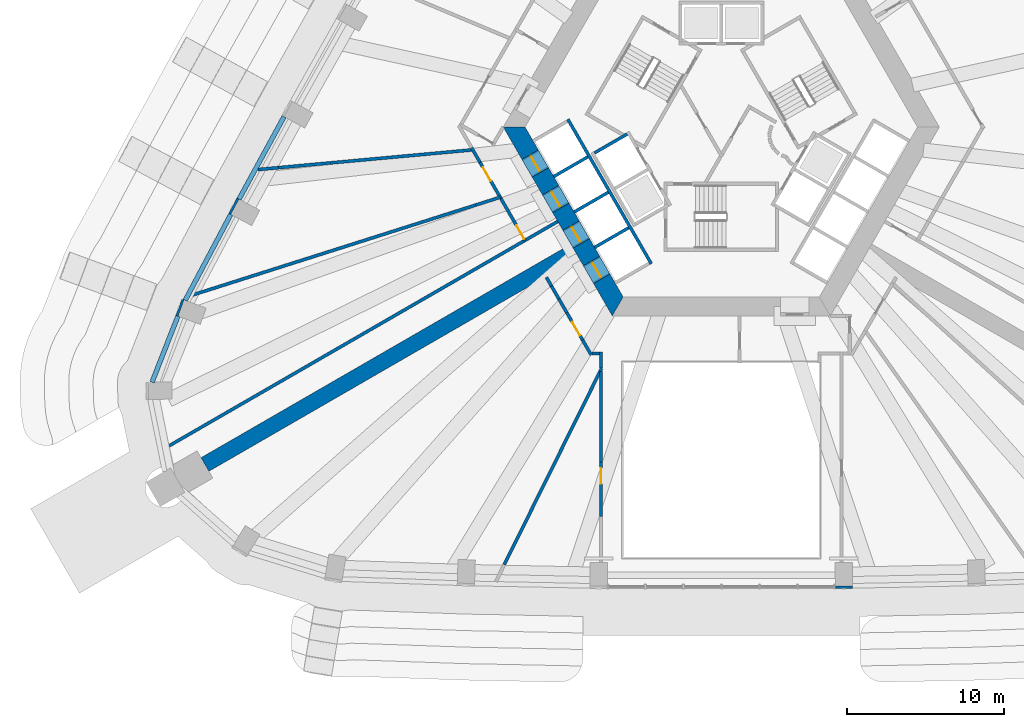
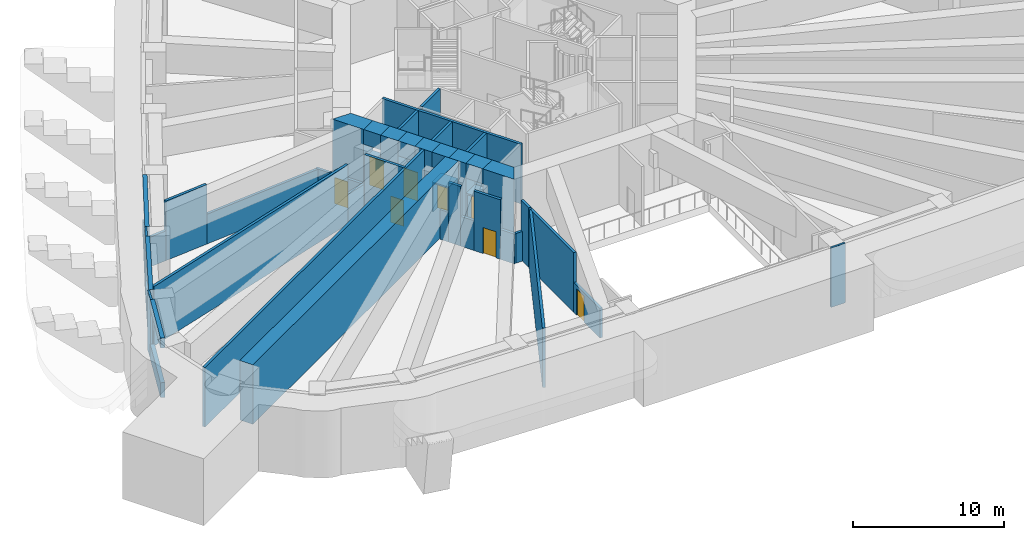
# One storey, part 5 of 20: 47 walls, 8 doors, 8 openings.
"""IFC4 building model written with IfcOpenShell, lengths in metres."""

from ifc_helpers import new_model, si_unit, direction, frame, frame_2d, origin, place, context, subcontext, project, spatial, polyline, rectangle, outline, extrude, material, layer, layer_set, type_object, element, fill, save


model = new_model("IFC4")

# Units and contexts
model_context = context("Model", 3, precision=1e-05, world=origin(), true_north=direction((0.0, 1.0)))
body_context = subcontext(model_context, "Body", "Model", "MODEL_VIEW")
ifc_project = project(units=[si_unit("LENGTHUNIT", "METRE"), si_unit("AREAUNIT", "SQUARE_METRE"), si_unit("VOLUMEUNIT", "CUBIC_METRE"), si_unit("PLANEANGLEUNIT", "RADIAN"), si_unit("MASSUNIT", "GRAM", prefix="KILO")], contexts=[model_context])

# Site, building, storey
site_placement = place(None, origin())
site = spatial("IfcSite", under=ifc_project, at=site_placement, CompositionType="ELEMENT")
building_placement = place(site_placement, origin())
building = spatial("IfcBuilding", under=site, at=building_placement, Name="Entoto Arch Interchange Tower", CompositionType="ELEMENT")
storey_placement = place(building_placement, frame((0.0, 0.0, 184.39990234375)))
storey = spatial("IfcBuildingStorey", under=building, at=storey_placement, Name="L41", CompositionType="ELEMENT", Elevation=184.39990234375)

# Walls
ifc_material_1 = material(Name="Concrete C50/60", Category="concrete")
ifc_layer_1 = layer(ifc_material_1, 1.199951171875)
ifc_layer_set_1 = layer_set([ifc_layer_1], Name="Concrete C50/60")
wall_type_1 = type_object("IfcWallType", Name="Core wall 1200 C50/60", PredefinedType="SHEAR", material=ifc_layer_set_1)
wall_1_placement = place(storey_placement, frame((0.0, 0.0, -0.599853515625)))
element("IfcWall", 1, at=wall_1_placement, inside=storey, type_object=wall_type_1, Name="Core wall SW L41", PredefinedType="SHEAR", context=body_context, shape_type="SweptSolid", body=[
    extrude(outline(polyline([(-12.6669921875, 0.43994140625), (-11.6279296875, 1.0400390625), (-12.470947265625, 2.5), (-13.85595703125, 2.5), (-12.6669921875, 0.43994140625)])), origin(), (0.0, 0.0, 1.0), 5.39990234375),
])
wall_2_placement = place(storey_placement, frame((0.0, 0.0, -0.599853515625)))
element("IfcWall", 2, at=wall_2_placement, inside=storey, type_object=wall_type_1, Name="Core wall SW L41", PredefinedType="SHEAR", context=body_context, shape_type="SweptSolid", body=[
    extrude(outline(polyline([(-11.366943359375, -1.81103515625), (-10.327880859375, -1.2109375), (-10.97802734375, -0.0859375), (-12.01708984375, -0.68603515625), (-11.366943359375, -1.81103515625)])), origin(), (0.0, 0.0, 1.0), 5.39990234375),
])
wall_3_placement = place(storey_placement, frame((0.0, 0.0, -0.599853515625)))
element("IfcWall", 3, at=wall_3_placement, inside=storey, type_object=wall_type_1, Name="Core wall SW L41", PredefinedType="SHEAR", context=body_context, shape_type="SweptSolid", body=[
    extrude(outline(polyline([(-10.06689453125, -4.06298828125), (-9.028076171875, -3.462890625), (-9.677978515625, -2.3369140625), (-10.717041015625, -2.93701171875), (-10.06689453125, -4.06298828125)])), origin(), (0.0, 0.0, 1.0), 5.39990234375),
])
wall_4_placement = place(storey_placement, frame((0.0, 0.0, -0.599853515625)))
element("IfcWall", 4, at=wall_4_placement, inside=storey, type_object=wall_type_1, Name="Core wall SW L41", PredefinedType="SHEAR", context=body_context, shape_type="SweptSolid", body=[
    extrude(outline(polyline([(-8.76708984375, -6.31396484375), (-7.72802734375, -5.714111328125), (-8.3779296875, -4.589111328125), (-9.4169921875, -5.18896484375), (-8.76708984375, -6.31396484375)])), origin(), (0.0, 0.0, 1.0), 5.39990234375),
])
wall_5_placement = place(storey_placement, frame((0.0, 0.0, -0.599853515625)))
element("IfcWall", 5, at=wall_5_placement, inside=storey, type_object=wall_type_1, Name="Core wall SW L41", PredefinedType="SHEAR", context=body_context, shape_type="SweptSolid", body=[
    extrude(outline(polyline([(-7.077880859375, -6.840087890625), (-8.116943359375, -7.43994140625), (-6.927978515625, -9.5), (-6.235107421875, -8.300048828125), (-7.077880859375, -6.840087890625)])), origin(), (0.0, 0.0, 1.0), 5.39990234375),
])
wall_6_placement = place(storey_placement, frame((0.0, 0.0, 3.60009765625)))
element("IfcWall", 6, at=wall_6_placement, inside=storey, type_object=wall_type_1, Name="Core wall lintel SW L41", PredefinedType="SHEAR", context=body_context, shape_type="SweptSolid", body=[
    extrude(outline(polyline([(-12.01708984375, -0.68603515625), (-10.97802734375, -0.0859375), (-11.6279296875, 1.0400390625), (-12.6669921875, 0.43994140625), (-12.01708984375, -0.68603515625)])), origin(), (0.0, 0.0, 1.0), 1.199951171875),
])
wall_7_placement = place(storey_placement, frame((0.0, 0.0, 3.60009765625)))
element("IfcWall", 7, at=wall_7_placement, inside=storey, type_object=wall_type_1, Name="Core wall lintel SW L41", PredefinedType="SHEAR", context=body_context, shape_type="SweptSolid", body=[
    extrude(outline(polyline([(-10.717041015625, -2.93701171875), (-9.677978515625, -2.3369140625), (-10.327880859375, -1.2109375), (-11.366943359375, -1.81103515625), (-10.717041015625, -2.93701171875)])), origin(), (0.0, 0.0, 1.0), 1.199951171875),
])
wall_8_placement = place(storey_placement, frame((0.0, 0.0, 3.60009765625)))
element("IfcWall", 8, at=wall_8_placement, inside=storey, type_object=wall_type_1, Name="Core wall lintel SW L41", PredefinedType="SHEAR", context=body_context, shape_type="SweptSolid", body=[
    extrude(outline(polyline([(-9.4169921875, -5.18896484375), (-8.3779296875, -4.589111328125), (-9.028076171875, -3.462890625), (-10.06689453125, -4.06298828125), (-9.4169921875, -5.18896484375)])), origin(), (0.0, 0.0, 1.0), 1.199951171875),
])
wall_9_placement = place(storey_placement, frame((0.0, 0.0, 3.60009765625)))
element("IfcWall", 9, at=wall_9_placement, inside=storey, type_object=wall_type_1, Name="Core wall lintel SW L41", PredefinedType="SHEAR", context=body_context, shape_type="SweptSolid", body=[
    extrude(outline(polyline([(-8.116943359375, -7.43994140625), (-7.077880859375, -6.840087890625), (-7.72802734375, -5.714111328125), (-8.76708984375, -6.31396484375), (-8.116943359375, -7.43994140625)])), origin(), (0.0, 0.0, 1.0), 1.199951171875),
])

# Wall, opening, door
ifc_material_2 = material(Name="Concrete C40/50", Category="concrete")
ifc_layer_2 = layer(ifc_material_2, 1.199951171875)
ifc_layer_set_2 = layer_set([ifc_layer_2], Name="Concrete C40/50")
wall_type_2 = type_object("IfcWallType", Name="LIFT LANDING INFILL WALL", PredefinedType="STANDARD", material=ifc_layer_set_2)
wall_10_placement = place(storey_placement, frame((-12.14794921875, 0.739990234375, 0.0), z_axis=(0.0, 0.0, 1.0), x_axis=(0.500221244143, -0.865897630733, 0.0)))
wall_10 = element("IfcWall", 10, at=wall_10_placement, inside=storey, type_object=wall_type_2, Name="Lift landing infill wall SH1 L41", PredefinedType="STANDARD", context=body_context, shape_type="SweptSolid", body=[
    extrude(rectangle(XDim=1.29931640625, YDim=1.199951171875, at=frame_2d((0.649658203125, 0.0))), origin(), (0.0, 0.0, 1.0), 2.400146484375),
])
opening_1_placement = place(wall_10_placement, frame((0.10009765625, 0.0, 0.0)))
opening_1 = element("IfcOpeningElement", 11, at=opening_1_placement, cuts=wall_10, Name="Opening LD-SH1-L41", PredefinedType="OPENING", context=body_context, shape_type="SweptSolid", body=[
    extrude(rectangle(XDim=1.10009765625, YDim=2.300048828125, at=frame_2d((0.550048828125, 1.14990234375))), frame((0.0, 0.60986328125, 0.0), z_axis=(0.0, -1.0, 0.0), x_axis=(1.0, 0.0, 0.0)), (0.0, 0.0, 1.0), 1.219970703125),
])
ifc_material_3 = material(Name="Stainless steel 1.4301 panels", Category="steel")
door_type_1 = type_object("IfcDoorType", Name="LIFT LANDING DOOR LD2 1100x2300", OperationType="SLIDING_TO_LEFT", PredefinedType="DOOR", material=ifc_material_3)
door_1_placement = place(opening_1_placement, origin())
door_1 = element("IfcDoor", 12, at=door_1_placement, inside=storey, type_object=door_type_1, Name="Lift landing door SH1 L41", OperationType="SLIDING_TO_LEFT", OverallHeight=2.300048828125, OverallWidth=1.10009765625, PredefinedType="DOOR", context=body_context, shape_type="SweptSolid", body=[
    extrude(rectangle(XDim=1.10009765625, YDim=2.300048828125, at=frame_2d((0.550048828125, 1.14990234375))), frame((0.0, 0.02490234375, 0.0), z_axis=(0.0, -1.0, 0.0), x_axis=(1.0, 0.0, 0.0)), (0.0, 0.0, 1.0), 0.050048828125),
])
fill(opening_1, door_1)

wall_11_placement = place(storey_placement, frame((-10.847900390625, -1.510986328125, 0.0), z_axis=(0.0, 0.0, 1.0), x_axis=(0.49989585183, -0.866085525409, 0.0)))
wall_11 = element("IfcWall", 13, at=wall_11_placement, inside=storey, type_object=wall_type_2, Name="Lift landing infill wall SH2 L41", PredefinedType="STANDARD", context=body_context, shape_type="SweptSolid", body=[
    extrude(rectangle(XDim=1.300048828125, YDim=1.199951171875, at=frame_2d((0.64990234375, 0.0))), origin(), (0.0, 0.0, 1.0), 2.400146484375),
])
opening_2_placement = place(wall_11_placement, frame((0.10009765625, 0.0, 0.0)))
opening_2 = element("IfcOpeningElement", 14, at=opening_2_placement, cuts=wall_11, Name="Opening LD-SH2-L41", PredefinedType="OPENING", context=body_context, shape_type="SweptSolid", body=[
    extrude(rectangle(XDim=1.10009765625, YDim=2.300048828125, at=frame_2d((0.550048828125, 1.14990234375))), frame((0.0, 0.60986328125, 0.0), z_axis=(0.0, -1.0, 0.0), x_axis=(1.0, 0.0, 0.0)), (0.0, 0.0, 1.0), 1.219970703125),
])
door_2_placement = place(opening_2_placement, origin())
door_2 = element("IfcDoor", 15, at=door_2_placement, inside=storey, type_object=door_type_1, Name="Lift landing door SH2 L41", OperationType="SLIDING_TO_LEFT", OverallHeight=2.300048828125, OverallWidth=1.10009765625, PredefinedType="DOOR", context=body_context, shape_type="SweptSolid", body=[
    extrude(rectangle(XDim=1.10009765625, YDim=2.300048828125, at=frame_2d((0.550048828125, 1.14990234375))), frame((0.0, 0.02490234375, 0.0), z_axis=(0.0, -1.0, 0.0), x_axis=(1.0, 0.0, 0.0)), (0.0, 0.0, 1.0), 0.050048828125),
])
fill(opening_2, door_2)

wall_12_placement = place(storey_placement, frame((-9.548095703125, -3.762939453125, 0.0), z_axis=(0.0, 0.0, 1.0), x_axis=(0.500036693733, -0.866004217611, 0.0)))
wall_12 = element("IfcWall", 16, at=wall_12_placement, inside=storey, type_object=wall_type_2, Name="Lift landing infill wall SH3 L41", PredefinedType="STANDARD", context=body_context, shape_type="SweptSolid", body=[
    extrude(rectangle(XDim=1.30029296875, YDim=1.199951171875, at=frame_2d((0.650146484375, 0.0))), origin(), (0.0, 0.0, 1.0), 2.400146484375),
])
opening_3_placement = place(wall_12_placement, frame((0.10009765625, 0.0, 0.0)))
opening_3 = element("IfcOpeningElement", 17, at=opening_3_placement, cuts=wall_12, Name="Opening LD-SH3-L41", PredefinedType="OPENING", context=body_context, shape_type="SweptSolid", body=[
    extrude(rectangle(XDim=1.10009765625, YDim=2.300048828125, at=frame_2d((0.550048828125, 1.14990234375))), frame((0.0, 0.60986328125, 0.0), z_axis=(0.0, -1.0, 0.0), x_axis=(1.0, 0.0, 0.0)), (0.0, 0.0, 1.0), 1.219970703125),
])
door_3_placement = place(opening_3_placement, origin())
door_3 = element("IfcDoor", 18, at=door_3_placement, inside=storey, type_object=door_type_1, Name="Lift landing door SH3 L41", OperationType="SLIDING_TO_LEFT", OverallHeight=2.300048828125, OverallWidth=1.10009765625, PredefinedType="DOOR", context=body_context, shape_type="SweptSolid", body=[
    extrude(rectangle(XDim=1.10009765625, YDim=2.300048828125, at=frame_2d((0.550048828125, 1.14990234375))), frame((0.0, 0.02490234375, 0.0), z_axis=(0.0, -1.0, 0.0), x_axis=(1.0, 0.0, 0.0)), (0.0, 0.0, 1.0), 0.050048828125),
])
fill(opening_3, door_3)

wall_13_placement = place(storey_placement, frame((-8.248046875, -6.014892578125, 0.0), z_axis=(0.0, 0.0, 1.0), x_axis=(0.500362116554, -0.865816234728, 0.0)))
wall_13 = element("IfcWall", 19, at=wall_13_placement, inside=storey, type_object=wall_type_2, Name="Lift landing infill wall SH4 L41", PredefinedType="STANDARD", context=body_context, shape_type="SweptSolid", body=[
    extrude(rectangle(XDim=1.29931640625, YDim=1.199951171875, at=frame_2d((0.649658203125, 0.0))), origin(), (0.0, 0.0, 1.0), 2.400146484375),
])
opening_4_placement = place(wall_13_placement, frame((0.10009765625, 0.0, 0.0)))
opening_4 = element("IfcOpeningElement", 20, at=opening_4_placement, cuts=wall_13, Name="Opening LD-SH4-L41", PredefinedType="OPENING", context=body_context, shape_type="SweptSolid", body=[
    extrude(rectangle(XDim=1.10009765625, YDim=2.300048828125, at=frame_2d((0.550048828125, 1.14990234375))), frame((0.0, 0.60986328125, 0.0), z_axis=(0.0, -1.0, 0.0), x_axis=(1.0, 0.0, 0.0)), (0.0, 0.0, 1.0), 1.219970703125),
])
door_4_placement = place(opening_4_placement, origin())
door_4 = element("IfcDoor", 21, at=door_4_placement, inside=storey, type_object=door_type_1, Name="Lift landing door SH4 L41", OperationType="SLIDING_TO_LEFT", OverallHeight=2.300048828125, OverallWidth=1.10009765625, PredefinedType="DOOR", context=body_context, shape_type="SweptSolid", body=[
    extrude(rectangle(XDim=1.10009765625, YDim=2.300048828125, at=frame_2d((0.550048828125, 1.14990234375))), frame((0.0, 0.02490234375, 0.0), z_axis=(0.0, -1.0, 0.0), x_axis=(1.0, 0.0, 0.0)), (0.0, 0.0, 1.0), 0.050048828125),
])
fill(opening_4, door_4)

# Walls
ifc_layer_3 = layer(ifc_material_2, 0.199951171875)
ifc_layer_set_3 = layer_set([ifc_layer_3], Name="Concrete C40/50")
wall_type_3 = type_object("IfcWallType", Name="LIFT SHAFT WALL 200", PredefinedType="STANDARD", material=ifc_layer_set_3)
wall_14_placement = place(storey_placement, frame((-5.97705078125, 2.052001953125, 0.0), z_axis=(0.0, 0.0, 1.0), x_axis=(-0.865973769406, -0.500089422704, 0.0)))
element("IfcWall", 22, at=wall_14_placement, inside=storey, type_object=wall_type_3, Name="Shaft wall SW1 cross 1", PredefinedType="STANDARD", context=body_context, shape_type="SweptSolid", body=[
    extrude(rectangle(XDim=2.3994140625, YDim=0.199951171875, at=frame_2d((1.19970703125, 0.0))), origin(), (0.0, 0.0, 1.0), 4.800048828125),
])
wall_15_placement = place(storey_placement, frame((-9.7509765625, 2.989990234375, 0.0), z_axis=(0.0, 0.0, 1.0), x_axis=(0.50000090737, -0.866024879913, 0.0)))
element("IfcWall", 23, at=wall_15_placement, inside=storey, type_object=wall_type_3, Name="Shaft wall SW3 front", PredefinedType="STANDARD", context=body_context, shape_type="SweptSolid", body=[
    extrude(rectangle(XDim=10.60009765625, YDim=0.199951171875, at=frame_2d((5.300048828125, 0.0))), origin(), (0.0, 0.0, 1.0), 4.800048828125),
])
for number, where, z_axis, x_axis, name in (
    (24, (-8.488037109375, 0.60205078125, 0.0), (0.0, 0.0, 1.0), (-0.866022959057, -0.500004234368, 0.0), "Shaft wall SW3 cross 2"),
    (25, (-7.18798828125, -1.64990234375, 0.0), (0.0, 0.0, 1.0), (-0.866022959057, -0.500004234368, 0.0), "Shaft wall SW3 cross 3"),
    (26, (-5.887939453125, -3.902099609375, 0.0), (0.0, 0.0, 1.0), (-0.866022959057, -0.500004234368, 0.0), "Shaft wall SW3 cross 4"),
):
    element("IfcWall", number, at=place(storey_placement, frame(where, z_axis=z_axis, x_axis=x_axis)), inside=storey, type_object=wall_type_3, Name=name, PredefinedType="STANDARD", context=body_context, shape_type="SweptSolid", body=[
        extrude(rectangle(XDim=2.5, YDim=0.199951171875, at=frame_2d((1.25, 0.0))), origin(), (0.0, 0.0, 1.0), 4.800048828125),
    ])
ifc_layer_4 = layer(ifc_material_1, 1.0)
ifc_layer_set_4 = layer_set([ifc_layer_4], Name="Concrete C50/60")
wall_type_4 = type_object("IfcWallType", Name="Outrigger wall 1000 C50/60", PredefinedType="SHEAR", material=ifc_layer_set_4)
wall_16_placement = place(storey_placement, frame((-9.31005859375, -5.375, 0.0), z_axis=(0.0, 0.0, 1.0), x_axis=(-0.866015103238, -0.500017840646, 0.0)))
element("IfcWall", 27, at=wall_16_placement, inside=storey, type_object=wall_type_4, Name="Outrigger wall SW L41", PredefinedType="SHEAR", context=body_context, shape_type="SweptSolid", body=[
    extrude(rectangle(XDim=27.13916015625, YDim=1.0, at=frame_2d((13.569580078125, 0.0))), origin(), (0.0, 0.0, 1.0), 4.800048828125),
])
ifc_material_4 = material(Name="Gypsum board partition on steel studs", Category="steel")
ifc_layer_5 = layer(ifc_material_4, 0.199951171875)
ifc_layer_set_5 = layer_set([ifc_layer_5], Name="Gypsum board partition on steel studs")
wall_type_5 = type_object("IfcWallType", Name="PARTITION 200", PredefinedType="PARTITIONING", material=ifc_layer_set_5)
wall_17_placement = place(storey_placement, frame((-7.64990234375, -12.825927734375, 0.0), z_axis=(0.0, 0.0, 1.0), x_axis=(0.0, 1.0, 0.0)))
element("IfcWall", 28, at=wall_17_placement, inside=storey, type_object=wall_type_5, Name="wall:L41:p026", PredefinedType="PARTITIONING", context=body_context, shape_type="SweptSolid", body=[
    extrude(rectangle(XDim=1.02587890625, YDim=0.199951171875, at=frame_2d((0.512939453125, 0.0))), origin(), (0.0, 0.0, 1.0), 4.800048828125),
])
wall_18_placement = place(storey_placement, frame((-7.75, -11.89990234375, 0.0), z_axis=(0.0, 0.0, 1.0), x_axis=(-1.0, 0.0, 0.0)))
element("IfcWall", 29, at=wall_18_placement, inside=storey, type_object=wall_type_5, Name="wall:L41:p027", PredefinedType="PARTITIONING", context=body_context, shape_type="SweptSolid", body=[
    extrude(rectangle(XDim=0.464111328125, YDim=0.199951171875, at=frame_2d((0.23193359375, 0.0))), origin(), (0.0, 0.0, 1.0), 2.400146484375),
])
wall_19_placement = place(storey_placement, frame((-8.263916015625, -11.987060546875, 0.0), z_axis=(0.0, 0.0, 1.0), x_axis=(-0.499633176362, 0.866237085952, 0.0)))
element("IfcWall", 30, at=wall_19_placement, inside=storey, type_object=wall_type_5, Name="wall:L41:p028", PredefinedType="PARTITIONING", context=body_context, shape_type="SweptSolid", body=[
    extrude(rectangle(XDim=1.104736328125, YDim=0.199951171875, at=frame_2d((0.55224609375, 0.0))), origin(), (0.0, 0.0, 1.0), 2.400146484375),
])
wall_20_placement = place(storey_placement, frame((-7.60595703125, -12.8359375, 0.0), z_axis=(0.0, 0.0, 1.0), x_axis=(-0.444256696047, -0.895899541253, 0.0)))
element("IfcWall", 31, at=wall_20_placement, inside=storey, type_object=wall_type_5, Name="wall:L41:p034", PredefinedType="PARTITIONING", context=body_context, shape_type="SweptSolid", body=[
    extrude(rectangle(XDim=13.915771484375, YDim=0.199951171875, at=frame_2d((6.9580078125, 0.0))), origin(), (0.0, 0.0, 1.0), 4.800048828125),
])
wall_21_placement = place(storey_placement, frame((-35.501953125, -17.99609375, 0.0), z_axis=(0.0, 0.0, 1.0), x_axis=(0.866041720547, 0.499971737474, 0.0)))
element("IfcWall", 32, at=wall_21_placement, inside=storey, type_object=wall_type_5, Name="wall:L41:p035", PredefinedType="PARTITIONING", context=body_context, shape_type="SweptSolid", body=[
    extrude(rectangle(XDim=28.993896484375, YDim=0.199951171875, at=frame_2d((14.4970703125, 0.0))), origin(), (0.0, 0.0, 1.0), 4.800048828125),
])

# Wall, opening, door
wall_22_placement = place(storey_placement, frame((-14.0009765625, -2.050048828125, 0.0), z_axis=(0.0, 0.0, 1.0), x_axis=(-0.499844057801, 0.866115418337, 0.0)))
wall_22 = element("IfcWall", 33, at=wall_22_placement, inside=storey, type_object=wall_type_5, Name="wall:L41:p058", PredefinedType="PARTITIONING", context=body_context, shape_type="SweptSolid", body=[
    extrude(rectangle(XDim=2.664794921875, YDim=0.199951171875, at=frame_2d((1.33251953125, 0.0))), origin(), (0.0, 0.0, 1.0), 2.400146484375),
])
opening_5_placement = place(wall_22_placement, frame((1.301025390625, 0.0, 0.0)))
opening_5 = element("IfcOpeningElement", 34, at=opening_5_placement, cuts=wall_22, Name="Opening L41-D16", PredefinedType="OPENING", context=body_context, shape_type="SweptSolid", body=[
    extrude(rectangle(XDim=1.0, YDim=2.10009765625, at=frame_2d((0.5, 1.050048828125))), frame((0.0, 0.10986328125, 0.0), z_axis=(0.0, -1.0, 0.0), x_axis=(1.0, 0.0, 0.0)), (0.0, 0.0, 1.0), 0.219970703125),
])
ifc_material_5 = material(Name="Fire-rated Steel S235 door and frame", Category="steel")
door_type_2 = type_object("IfcDoorType", Name="DOOR FD-10 1000x2100", OperationType="SINGLE_SWING_LEFT", PredefinedType="DOOR", material=ifc_material_5)
door_5_placement = place(opening_5_placement, origin())
door_5 = element("IfcDoor", 35, at=door_5_placement, inside=storey, type_object=door_type_2, Name="door:L41:16", OperationType="SINGLE_SWING_RIGHT", OverallHeight=2.10009765625, OverallWidth=1.0, PredefinedType="DOOR", context=body_context, shape_type="SweptSolid", body=[
    extrude(rectangle(XDim=1.0, YDim=2.10009765625, at=frame_2d((0.5, 1.050048828125))), frame((0.0, 0.02490234375, 0.0), z_axis=(0.0, -1.0, 0.0), x_axis=(1.0, 0.0, 0.0)), (0.0, 0.0, 1.0), 0.050048828125),
])
fill(opening_5, door_5)

wall_23_placement = place(storey_placement, frame((-14.0009765625, -2.050048828125, 0.0), z_axis=(0.0, 0.0, 1.0), x_axis=(0.500026340207, -0.866010195725, 0.0)))
wall_23 = element("IfcWall", 36, at=wall_23_placement, inside=storey, type_object=wall_type_5, Name="wall:L41:p059", PredefinedType="PARTITIONING", context=body_context, shape_type="SweptSolid", body=[
    extrude(rectangle(XDim=3.059814453125, YDim=0.199951171875, at=frame_2d((1.52978515625, 0.0))), origin(), (0.0, 0.0, 1.0), 4.800048828125),
])
opening_6_placement = place(wall_23_placement, frame((1.9599609375, 0.0, 0.0)))
opening_6 = element("IfcOpeningElement", 37, at=opening_6_placement, cuts=wall_23, Name="Opening L41-D17", PredefinedType="OPENING", context=body_context, shape_type="SweptSolid", body=[
    extrude(rectangle(XDim=1.0, YDim=2.10009765625, at=frame_2d((0.5, 1.050048828125))), frame((0.0, 0.10986328125, 0.0), z_axis=(0.0, -1.0, 0.0), x_axis=(1.0, 0.0, 0.0)), (0.0, 0.0, 1.0), 0.219970703125),
])
ifc_material_6 = material(Name="Timber door leaf in Steel S235 frame", Category="steel")
door_type_3 = type_object("IfcDoorType", Name="DOOR DS-10 1000x2100", OperationType="SINGLE_SWING_LEFT", PredefinedType="DOOR", material=ifc_material_6)
door_6_placement = place(opening_6_placement, origin())
door_6 = element("IfcDoor", 38, at=door_6_placement, inside=storey, type_object=door_type_3, Name="door:L41:17", OperationType="SINGLE_SWING_LEFT", OverallHeight=2.10009765625, OverallWidth=1.0, PredefinedType="DOOR", context=body_context, shape_type="SweptSolid", body=[
    extrude(rectangle(XDim=1.0, YDim=2.10009765625, at=frame_2d((0.5, 1.050048828125))), frame((0.0, 0.02490234375, 0.0), z_axis=(0.0, -1.0, 0.0), x_axis=(1.0, 0.0, 0.0)), (0.0, 0.0, 1.0), 0.050048828125),
])
fill(opening_6, door_6)

# Walls
wall_24_placement = place(storey_placement, frame((-15.791015625, 1.051025390625, 0.0), z_axis=(0.0, 0.0, 1.0), x_axis=(-0.995813171727, -0.091411853796, 0.0)))
element("IfcWall", 39, at=wall_24_placement, inside=storey, type_object=wall_type_5, Name="wall:L41:p061", PredefinedType="PARTITIONING", context=body_context, shape_type="SweptSolid", body=[
    extrude(rectangle(XDim=9.070068359375, YDim=0.199951171875, at=frame_2d((4.53515625, 0.0))), origin(), (0.0, 0.0, 1.0), 2.400146484375),
])
wall_25_placement = place(storey_placement, frame((-14.051025390625, -1.962890625, 0.0), z_axis=(0.0, 0.0, 1.0), x_axis=(-0.953023422208, -0.302896610617, 0.0)))
element("IfcWall", 40, at=wall_25_placement, inside=storey, type_object=wall_type_5, Name="wall:L41:p062", PredefinedType="PARTITIONING", context=body_context, shape_type="SweptSolid", body=[
    extrude(rectangle(XDim=1.64111328125, YDim=0.199951171875, at=frame_2d((0.820556640625, 0.0))), origin(), (0.0, 0.0, 1.0), 2.400146484375),
])

# Wall, opening, door
wall_26_placement = place(storey_placement, frame((-8.81591796875, -11.030029296875, 0.0), z_axis=(0.0, 0.0, 1.0), x_axis=(-0.50004869401, 0.865997288459, 0.0)))
wall_26 = element("IfcWall", 41, at=wall_26_placement, inside=storey, type_object=wall_type_5, Name="wall:L41:p028", PredefinedType="PARTITIONING", context=body_context, shape_type="SweptSolid", body=[
    extrude(rectangle(XDim=2.008056640625, YDim=0.199951171875, at=frame_2d((1.00390625, 0.0))), origin(), (0.0, 0.0, 1.0), 4.800048828125),
])
opening_7_placement = place(wall_26_placement, frame((0.31396484375, 0.0, 0.0)))
opening_7 = element("IfcOpeningElement", 42, at=opening_7_placement, cuts=wall_26, Name="Opening L41-D03", PredefinedType="OPENING", context=body_context, shape_type="SweptSolid", body=[
    extrude(rectangle(XDim=1.0, YDim=2.10009765625, at=frame_2d((0.5, 1.050048828125))), frame((0.0, 0.10986328125, 0.0), z_axis=(0.0, -1.0, 0.0), x_axis=(1.0, 0.0, 0.0)), (0.0, 0.0, 1.0), 0.219970703125),
])
door_7_placement = place(opening_7_placement, origin())
door_7 = element("IfcDoor", 43, at=door_7_placement, inside=storey, type_object=door_type_2, Name="door:L41:03", OperationType="SINGLE_SWING_LEFT", OverallHeight=2.10009765625, OverallWidth=1.0, PredefinedType="DOOR", context=body_context, shape_type="SweptSolid", body=[
    extrude(rectangle(XDim=1.0, YDim=2.10009765625, at=frame_2d((0.5, 1.050048828125))), frame((0.0, 0.02490234375, 0.0), z_axis=(0.0, -1.0, 0.0), x_axis=(1.0, 0.0, 0.0)), (0.0, 0.0, 1.0), 0.050048828125),
])
fill(opening_7, door_7)

# Walls
wall_27_placement = place(storey_placement, frame((-9.820068359375, -9.291015625, 0.0), z_axis=(0.0, 0.0, 1.0), x_axis=(-0.500277597875, 0.865865073245, 0.0)))
element("IfcWall", 44, at=wall_27_placement, inside=storey, type_object=wall_type_5, Name="wall:L41:p028", PredefinedType="PARTITIONING", context=body_context, shape_type="SweptSolid", body=[
    extrude(rectangle(XDim=1.01513671875, YDim=0.199951171875, at=frame_2d((0.507568359375, 0.0))), origin(), (0.0, 0.0, 1.0), 2.400146484375),
])
wall_28_placement = place(storey_placement, frame((-10.327880859375, -8.412109375, 0.0), z_axis=(0.0, 0.0, 1.0), x_axis=(-0.4998875608, 0.866090310855, 0.0)))
element("IfcWall", 45, at=wall_28_placement, inside=storey, type_object=wall_type_5, Name="wall:L41:p028", PredefinedType="PARTITIONING", context=body_context, shape_type="SweptSolid", body=[
    extrude(rectangle(XDim=0.938720703125, YDim=0.199951171875, at=frame_2d((0.46923828125, 0.0))), origin(), (0.0, 0.0, 1.0), 4.800048828125),
])
wall_29_placement = place(storey_placement, frame((-10.797119140625, -7.59912109375, 0.0), z_axis=(0.0, 0.0, 1.0), x_axis=(-0.499377186864, 0.866384686638, 0.0)))
element("IfcWall", 46, at=wall_29_placement, inside=storey, type_object=wall_type_5, Name="wall:L41:p028", PredefinedType="PARTITIONING", context=body_context, shape_type="SweptSolid", body=[
    extrude(rectangle(XDim=0.632568359375, YDim=0.199951171875, at=frame_2d((0.31640625, 0.0))), origin(), (0.0, 0.0, 1.0), 2.400146484375),
])

# Wall, opening, door
wall_30_placement = place(storey_placement, frame((-7.64990234375, -22.239990234375, 0.0), z_axis=(0.0, 0.0, 1.0), x_axis=(0.0, 1.0, 0.0)))
wall_30 = element("IfcWall", 47, at=wall_30_placement, inside=storey, type_object=wall_type_5, Name="wall:L41:p029", PredefinedType="PARTITIONING", context=body_context, shape_type="SweptSolid", body=[
    extrude(rectangle(XDim=3.455078125, YDim=0.199951171875, at=frame_2d((1.7275390625, 0.0))), origin(), (0.0, 0.0, 1.0), 2.400146484375),
])
opening_8_placement = place(wall_30_placement, frame((2.05908203125, 0.0, 0.0)))
opening_8 = element("IfcOpeningElement", 48, at=opening_8_placement, cuts=wall_30, Name="Opening L41-D04", PredefinedType="OPENING", context=body_context, shape_type="SweptSolid", body=[
    extrude(rectangle(XDim=1.0, YDim=2.10009765625, at=frame_2d((0.5, 1.050048828125))), frame((0.0, 0.10986328125, 0.0), z_axis=(0.0, -1.0, 0.0), x_axis=(1.0, 0.0, 0.0)), (0.0, 0.0, 1.0), 0.219970703125),
])
door_8_placement = place(opening_8_placement, origin())
door_8 = element("IfcDoor", 49, at=door_8_placement, inside=storey, type_object=door_type_2, Name="door:L41:04", OperationType="SINGLE_SWING_RIGHT", OverallHeight=2.10009765625, OverallWidth=1.0, PredefinedType="DOOR", context=body_context, shape_type="SweptSolid", body=[
    extrude(rectangle(XDim=1.0, YDim=2.10009765625, at=frame_2d((0.5, 1.050048828125))), frame((0.0, 0.02490234375, 0.0), z_axis=(0.0, -1.0, 0.0), x_axis=(1.0, 0.0, 0.0)), (0.0, 0.0, 1.0), 0.050048828125),
])
fill(opening_8, door_8)

# Walls
wall_31_placement = place(storey_placement, frame((-7.64990234375, -18.784912109375, 0.0), z_axis=(0.0, 0.0, 1.0), x_axis=(0.0, 1.0, 0.0)))
element("IfcWall", 50, at=wall_31_placement, inside=storey, type_object=wall_type_5, Name="wall:L41:p029", PredefinedType="PARTITIONING", context=body_context, shape_type="SweptSolid", body=[
    extrude(rectangle(XDim=5.759033203125, YDim=0.199951171875, at=frame_2d((2.87939453125, 0.0))), origin(), (0.0, 0.0, 1.0), 4.800048828125),
])
wall_32_placement = place(storey_placement, frame((-15.3330078125, 0.258056640625, 0.0), z_axis=(0.0, 0.0, 1.0), x_axis=(-0.499900536046, 0.86608282171, 0.0)))
element("IfcWall", 51, at=wall_32_placement, inside=storey, type_object=wall_type_5, Name="wall:L41:p058", PredefinedType="PARTITIONING", context=body_context, shape_type="SweptSolid", body=[
    extrude(rectangle(XDim=1.068115234375, YDim=0.199951171875, at=frame_2d((0.5341796875, 0.0))), origin(), (0.0, 0.0, 1.0), 2.400146484375),
])
wall_33_placement = place(storey_placement, frame((-24.822998046875, 0.221923828125, 0.0), z_axis=(0.0, 0.0, 1.0), x_axis=(-0.995814353382, -0.091398980293, 0.0)))
element("IfcWall", 52, at=wall_33_placement, inside=storey, type_object=wall_type_5, Name="wall:L41:p061", PredefinedType="PARTITIONING", context=body_context, shape_type="SweptSolid", body=[
    extrude(rectangle(XDim=3.31494140625, YDim=0.199951171875, at=frame_2d((1.657470703125, 0.0))), origin(), (0.0, 0.0, 1.0), 4.800048828125),
])
wall_34_placement = place(storey_placement, frame((-28.1240234375, -0.0810546875, 0.0), z_axis=(0.0, 0.0, 1.0), x_axis=(-0.995805575694, -0.091494564955, 0.0)))
element("IfcWall", 53, at=wall_34_placement, inside=storey, type_object=wall_type_5, Name="wall:L41:p061", PredefinedType="PARTITIONING", context=body_context, shape_type="SweptSolid", body=[
    extrude(rectangle(XDim=1.33154296875, YDim=0.199951171875, at=frame_2d((0.665771484375, 0.0))), origin(), (0.0, 0.0, 1.0), 2.400146484375),
])
wall_35_placement = place(storey_placement, frame((-15.614990234375, -2.4599609375, 0.0), z_axis=(0.0, 0.0, 1.0), x_axis=(-0.953081770848, -0.30271296318, 0.0)))
element("IfcWall", 54, at=wall_35_placement, inside=storey, type_object=wall_type_5, Name="wall:L41:p062", PredefinedType="PARTITIONING", context=body_context, shape_type="SweptSolid", body=[
    extrude(rectangle(XDim=19.018310546875, YDim=0.199951171875, at=frame_2d((9.50927734375, 0.0))), origin(), (0.0, 0.0, 1.0), 4.800048828125),
])
ifc_material_7 = material(Name="Board-marked precast concrete C50/60", Category="concrete")
ifc_layer_6 = layer(ifc_material_7, 0.14990234375)
ifc_layer_set_6 = layer_set([ifc_layer_6], Name="Board-marked precast concrete C50/60")
wall_type_6 = type_object("IfcWallType", Name="PRECAST FRAME WALL 150", PredefinedType="STANDARD", material=ifc_layer_set_6)
wall_36_placement = place(storey_placement, frame((-30.720947265625, -2.049072265625, 0.0), z_axis=(0.0, 0.0, 1.0), x_axis=(-0.470058271093, -0.88263538439, 0.0)))
element("IfcWall", 55, at=wall_36_placement, inside=storey, type_object=wall_type_6, Name="Frame pier NW07 L41", PredefinedType="STANDARD", context=body_context, shape_type="SweptSolid", body=[
    extrude(rectangle(XDim=1.10009765625, YDim=0.14990234375, at=frame_2d((0.550048828125, 0.0))), origin(), (0.0, 0.0, 1.0), 4.800048828125),
])
wall_37_placement = place(storey_placement, frame((-34.2099609375, -8.462890625, 0.0), z_axis=(0.0, 0.0, 1.0), x_axis=(-0.346353054777, -0.93810423805, 0.0)))
element("IfcWall", 56, at=wall_37_placement, inside=storey, type_object=wall_type_6, Name="Frame pier NW08 L41", PredefinedType="STANDARD", context=body_context, shape_type="SweptSolid", body=[
    extrude(rectangle(XDim=1.100341796875, YDim=0.14990234375, at=frame_2d((0.55029296875, 0.0))), origin(), (0.0, 0.0, 1.0), 4.800048828125),
])
wall_38_placement = place(storey_placement, frame((7.2490234375, -26.748046875, 0.0), z_axis=(0.0, 0.0, 1.0), x_axis=(0.999940879068, 0.010873746799, 0.0)))
element("IfcWall", 57, at=wall_38_placement, inside=storey, type_object=wall_type_6, Name="Frame pier S04 L41", PredefinedType="STANDARD", context=body_context, shape_type="SweptSolid", body=[
    extrude(rectangle(XDim=1.10009765625, YDim=0.14990234375, at=frame_2d((0.550048828125, 0.0))), origin(), (0.0, 0.0, 1.0), 4.800048828125),
])
ifc_layer_7 = layer(ifc_material_7, 0.300048828125)
ifc_layer_set_7 = layer_set([ifc_layer_7], Name="Board-marked precast concrete C50/60")
wall_type_7 = type_object("IfcWallType", Name="PRECAST FRAME WALL 300", PredefinedType="STANDARD", material=ifc_layer_set_7)
wall_39_placement = place(storey_placement, frame((-27.785888671875, 3.157958984375, 0.0), z_axis=(0.0, 0.0, 1.0), x_axis=(-0.479192671498, -0.87770973766, 0.0)))
element("IfcWall", 58, at=wall_39_placement, inside=storey, type_object=wall_type_7, Name="Frame sill wall NW-06 L41", PredefinedType="STANDARD", context=body_context, shape_type="SweptSolid", body=[
    extrude(rectangle(XDim=5.976806640625, YDim=0.300048828125, at=frame_2d((2.98828125, 0.0))), origin(), (0.0, 0.0, 1.0), 1.2001953125),
])
wall_40_placement = place(storey_placement, frame((-27.785888671875, 3.157958984375, 4.0), z_axis=(0.0, 0.0, 1.0), x_axis=(-0.479192671498, -0.87770973766, 0.0)))
element("IfcWall", 59, at=wall_40_placement, inside=storey, type_object=wall_type_7, Name="Frame head wall NW-06 L41", PredefinedType="STANDARD", context=body_context, shape_type="SweptSolid", body=[
    extrude(rectangle(XDim=5.976806640625, YDim=0.300048828125, at=frame_2d((2.98828125, 0.0))), origin(), (0.0, 0.0, 1.0), 0.800048828125),
])
wall_41_placement = place(storey_placement, frame((-31.1708984375, -3.053955078125, 0.0), z_axis=(0.0, 0.0, 1.0), x_axis=(-0.468703860557, -0.883355359467, 0.0)))
element("IfcWall", 60, at=wall_41_placement, inside=storey, type_object=wall_type_7, Name="Frame sill wall NW-07 L41", PredefinedType="STANDARD", context=body_context, shape_type="SweptSolid", body=[
    extrude(rectangle(XDim=6.183349609375, YDim=0.300048828125, at=frame_2d((3.091796875, 0.0))), origin(), (0.0, 0.0, 1.0), 1.2001953125),
])
wall_42_placement = place(storey_placement, frame((-31.1708984375, -3.053955078125, 4.0), z_axis=(0.0, 0.0, 1.0), x_axis=(-0.468703860557, -0.883355359467, 0.0)))
element("IfcWall", 61, at=wall_42_placement, inside=storey, type_object=wall_type_7, Name="Frame head wall NW-07 L41", PredefinedType="STANDARD", context=body_context, shape_type="SweptSolid", body=[
    extrude(rectangle(XDim=6.183349609375, YDim=0.300048828125, at=frame_2d((3.091796875, 0.0))), origin(), (0.0, 0.0, 1.0), 0.800048828125),
])
wall_43_placement = place(storey_placement, frame((-34.531005859375, -9.51611328125, 0.0), z_axis=(0.0, 0.0, 1.0), x_axis=(-0.364813480186, -0.931080622006, 0.0)))
element("IfcWall", 62, at=wall_43_placement, inside=storey, type_object=wall_type_7, Name="Frame sill wall SW-01 L41", PredefinedType="STANDARD", context=body_context, shape_type="SweptSolid", body=[
    extrude(rectangle(XDim=4.511962890625, YDim=0.300048828125, at=frame_2d((2.255859375, 0.0))), origin(), (0.0, 0.0, 1.0), 1.2001953125),
])
wall_44_placement = place(storey_placement, frame((-34.531005859375, -9.51611328125, 4.0), z_axis=(0.0, 0.0, 1.0), x_axis=(-0.364813480186, -0.931080622006, 0.0)))
element("IfcWall", 63, at=wall_44_placement, inside=storey, type_object=wall_type_7, Name="Frame head wall SW-01 L41", PredefinedType="STANDARD", context=body_context, shape_type="SweptSolid", body=[
    extrude(rectangle(XDim=4.511962890625, YDim=0.300048828125, at=frame_2d((2.255859375, 0.0))), origin(), (0.0, 0.0, 1.0), 0.800048828125),
])

save(model, "model.ifc")
